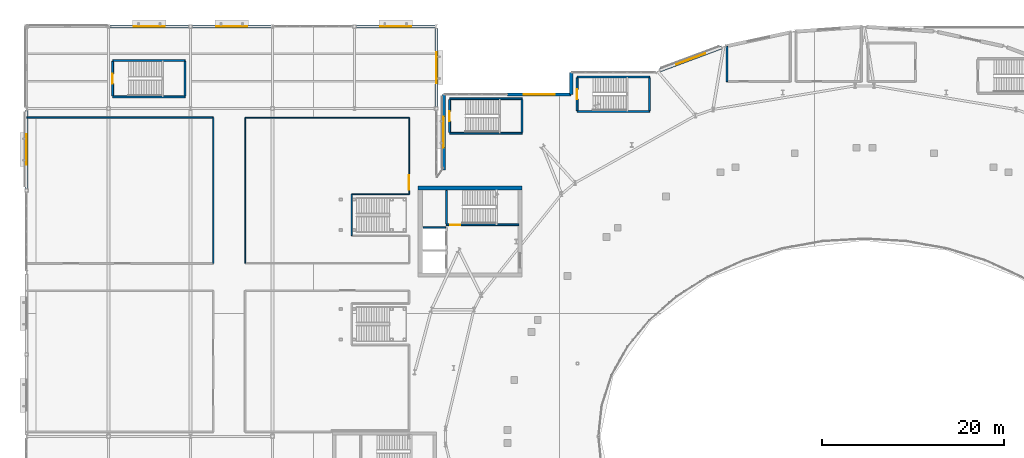
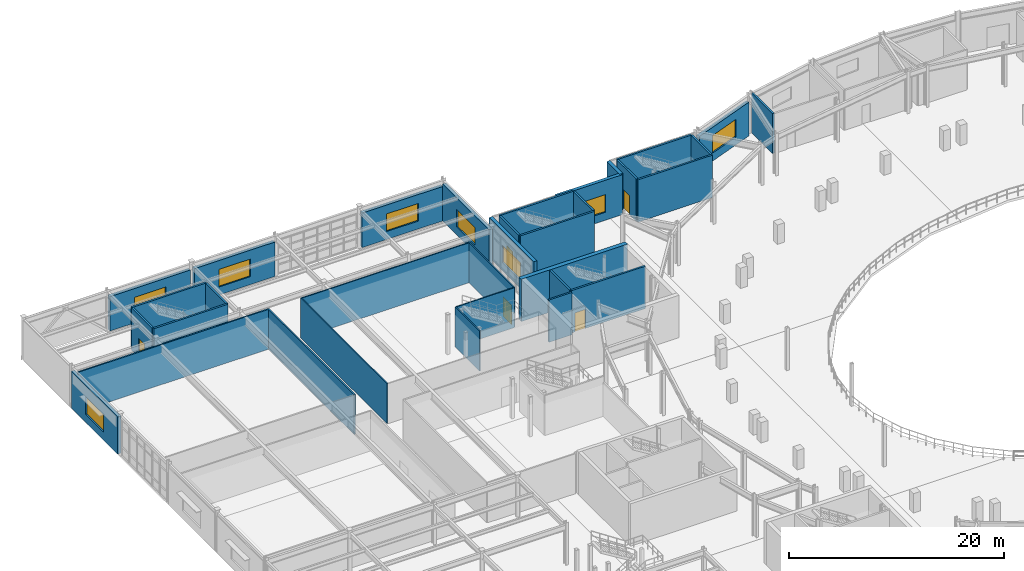
# One storey, part 61 of 84: 33 walls, 8 windows, 5 doors, 13 openings.
"""IFC4 building model written with IfcOpenShell, lengths in metres."""

from ifc_helpers import new_model, si_unit, direction, frame, frame_2d, origin, place, context, subcontext, project, spatial, rectangle, extrude, material, layer, layer_set, type_object, element, fill, save


model = new_model("IFC4")

# Units and contexts
model_context = context("Model", 3, precision=1e-05, world=origin(), true_north=direction((0.0, 1.0)))
body_context = subcontext(model_context, "Body", "Model", "MODEL_VIEW")
ifc_project = project(units=[si_unit("LENGTHUNIT", "METRE"), si_unit("AREAUNIT", "SQUARE_METRE"), si_unit("VOLUMEUNIT", "CUBIC_METRE"), si_unit("PLANEANGLEUNIT", "RADIAN"), si_unit("MASSUNIT", "GRAM", prefix="KILO")], contexts=[model_context])

# Site, building, storey
site_placement = place(None, origin())
site = spatial("IfcSite", under=ifc_project, at=site_placement, CompositionType="ELEMENT")
building_placement = place(site_placement, origin())
building = spatial("IfcBuilding", under=site, at=building_placement, Name="Glasvene Arena", CompositionType="ELEMENT")
storey_placement = place(building_placement, frame((0.0, 0.0, 10.199951171875)))
storey = spatial("IfcBuildingStorey", under=building, at=storey_placement, Name="L02", CompositionType="ELEMENT", Elevation=10.199951171875)

# Wall
ifc_material_1 = material(Name="Concrete C40/50", Category="concrete")
ifc_layer_1 = layer(ifc_material_1, 0.449951171875)
ifc_layer_set_1 = layer_set([ifc_layer_1], Name="Concrete C40/50")
wall_type_1 = type_object("IfcWallType", Name="WL-CORE-450", PredefinedType="SHEAR", material=ifc_layer_set_1)
wall_1_placement = place(storey_placement, frame((43.0, 100.27490234375, 0.0), z_axis=(0.0, 0.0, 1.0), x_axis=(1.0, 0.0, 0.0)))
element("IfcWall", 1, at=wall_1_placement, inside=storey, type_object=wall_type_1, Name="Core C1 North-West shear wall N L02", PredefinedType="SHEAR", context=body_context, shape_type="SweptSolid", body=[
    extrude(rectangle(XDim=11.39990234375, YDim=0.449951171875, at=frame_2d((5.699951171875, 0.0))), origin(), (0.0, 0.0, 1.0), 4.800048828125),
])

# Wall, opening, window
ifc_material_2 = material(Name="Coursed pale Irish limestone", Category="masonry")
ifc_layer_2 = layer(ifc_material_2, 0.360107421875)
ifc_layer_set_2 = layer_set([ifc_layer_2], Name="Coursed pale Irish limestone")
wall_type_2 = type_object("IfcWallType", Name="WL-EXT-LIM-360", PredefinedType="STANDARD", material=ifc_layer_set_2)
wall_2_placement = place(storey_placement, frame((0.0, 100.205078125, 0.0), z_axis=(0.0, 0.0, 1.0), x_axis=(0.0, 1.0, 0.0)))
wall_2 = element("IfcWall", 2, at=wall_2_placement, inside=storey, type_object=wall_type_2, Name="External facade wall EW-L02-0123", PredefinedType="STANDARD", context=body_context, shape_type="SweptSolid", body=[
    extrude(rectangle(XDim=8.593017578125, YDim=0.360107421875, at=frame_2d((4.29638671875, 0.0))), origin(), (0.0, 0.0, 1.0), 4.215087890625),
])
opening_1_placement = place(wall_2_placement, frame((2.595947265625, 0.0, 0.89990234375)))
opening_1 = element("IfcOpeningElement", 3, at=opening_1_placement, cuts=wall_2, Name="Opening W-06", PredefinedType="OPENING", context=body_context, shape_type="SweptSolid", body=[
    extrude(rectangle(XDim=3.39990234375, YDim=2.0, at=frame_2d((1.699951171875, 1.0))), frame((0.0, 0.18994140625, 0.0), z_axis=(0.0, -1.0, 0.0), x_axis=(1.0, 0.0, 0.0)), (0.0, 0.0, 1.0), 0.380126953125),
])
ifc_material_3 = material(Name="Low-emissivity laminated double glazing", Category="glass")
window_type = type_object("IfcWindowType", Name="WN-CLUB-340x200", PartitioningType="TRIPLE_PANEL_VERTICAL", PredefinedType="WINDOW", material=ifc_material_3)
window_1_placement = place(opening_1_placement, origin())
window_1 = element("IfcWindow", 4, at=window_1_placement, inside=storey, type_object=window_type, Name="Facade window WN-CLUB-340x200 L02-0069", OverallHeight=2.0, OverallWidth=3.39990234375, PartitioningType="SINGLE_PANEL", PredefinedType="WINDOW", context=body_context, shape_type="SweptSolid", body=[
    extrude(rectangle(XDim=3.39990234375, YDim=2.0, at=frame_2d((1.699951171875, 1.0))), frame((0.0, 0.030029296875, 0.0), z_axis=(0.0, -1.0, 0.0), x_axis=(1.0, 0.0, 0.0)), (0.0, 0.0, 1.0), 0.06005859375),
])
fill(opening_1, window_1)

wall_3_placement = place(storey_placement, frame((9.152099609375, 118.0, 0.0), z_axis=(0.0, 0.0, 1.0), x_axis=(1.0, 0.0, 0.0)))
wall_3 = element("IfcWall", 5, at=wall_3_placement, inside=storey, type_object=wall_type_2, Name="External facade wall EW-L02-0124", PredefinedType="STANDARD", context=body_context, shape_type="SweptSolid", body=[
    extrude(rectangle(XDim=8.642822265625, YDim=0.360107421875, at=frame_2d((4.3212890625, 0.0))), origin(), (0.0, 0.0, 1.0), 3.907470703125),
])
opening_2_placement = place(wall_3_placement, frame((2.62109375, 0.0, 0.89990234375)))
opening_2 = element("IfcOpeningElement", 6, at=opening_2_placement, cuts=wall_3, Name="Opening W-06", PredefinedType="OPENING", context=body_context, shape_type="SweptSolid", body=[
    extrude(rectangle(XDim=3.39990234375, YDim=2.0, at=frame_2d((1.699951171875, 1.0))), frame((0.0, 0.18994140625, 0.0), z_axis=(0.0, -1.0, 0.0), x_axis=(1.0, 0.0, 0.0)), (0.0, 0.0, 1.0), 0.380126953125),
])
window_2_placement = place(opening_2_placement, origin())
window_2 = element("IfcWindow", 7, at=window_2_placement, inside=storey, type_object=window_type, Name="Facade window WN-CLUB-340x200 L02-0070", OverallHeight=2.0, OverallWidth=3.39990234375, PartitioningType="SINGLE_PANEL", PredefinedType="WINDOW", context=body_context, shape_type="SweptSolid", body=[
    extrude(rectangle(XDim=3.39990234375, YDim=2.0, at=frame_2d((1.699951171875, 1.0))), frame((0.0, 0.030029296875, 0.0), z_axis=(0.0, -1.0, 0.0), x_axis=(1.0, 0.0, 0.0)), (0.0, 0.0, 1.0), 0.06005859375),
])
fill(opening_2, window_2)

wall_4_placement = place(storey_placement, frame((18.205078125, 118.0, 0.0), z_axis=(0.0, 0.0, 1.0), x_axis=(1.0, 0.0, 0.0)))
wall_4 = element("IfcWall", 8, at=wall_4_placement, inside=storey, type_object=wall_type_2, Name="External facade wall EW-L02-0125", PredefinedType="STANDARD", context=body_context, shape_type="SweptSolid", body=[
    extrude(rectangle(XDim=8.642822265625, YDim=0.360107421875, at=frame_2d((4.3212890625, 0.0))), origin(), (0.0, 0.0, 1.0), 3.907470703125),
])
opening_3_placement = place(wall_4_placement, frame((2.62109375, 0.0, 0.89990234375)))
opening_3 = element("IfcOpeningElement", 9, at=opening_3_placement, cuts=wall_4, Name="Opening W-06", PredefinedType="OPENING", context=body_context, shape_type="SweptSolid", body=[
    extrude(rectangle(XDim=3.39990234375, YDim=2.0, at=frame_2d((1.699951171875, 1.0))), frame((0.0, 0.18994140625, 0.0), z_axis=(0.0, -1.0, 0.0), x_axis=(1.0, 0.0, 0.0)), (0.0, 0.0, 1.0), 0.380126953125),
])
window_3_placement = place(opening_3_placement, origin())
window_3 = element("IfcWindow", 10, at=window_3_placement, inside=storey, type_object=window_type, Name="Facade window WN-CLUB-340x200 L02-0071", OverallHeight=2.0, OverallWidth=3.39990234375, PartitioningType="SINGLE_PANEL", PredefinedType="WINDOW", context=body_context, shape_type="SweptSolid", body=[
    extrude(rectangle(XDim=3.39990234375, YDim=2.0, at=frame_2d((1.699951171875, 1.0))), frame((0.0, 0.030029296875, 0.0), z_axis=(0.0, -1.0, 0.0), x_axis=(1.0, 0.0, 0.0)), (0.0, 0.0, 1.0), 0.06005859375),
])
fill(opening_3, window_3)

wall_5_placement = place(storey_placement, frame((36.205078125, 118.0, 0.0), z_axis=(0.0, 0.0, 1.0), x_axis=(1.0, 0.0, 0.0)))
wall_5 = element("IfcWall", 11, at=wall_5_placement, inside=storey, type_object=wall_type_2, Name="External facade wall EW-L02-0126", PredefinedType="STANDARD", context=body_context, shape_type="SweptSolid", body=[
    extrude(rectangle(XDim=8.642822265625, YDim=0.360107421875, at=frame_2d((4.3212890625, 0.0))), origin(), (0.0, 0.0, 1.0), 3.907470703125),
])
opening_4_placement = place(wall_5_placement, frame((2.62109375, 0.0, 0.89990234375)))
opening_4 = element("IfcOpeningElement", 12, at=opening_4_placement, cuts=wall_5, Name="Opening W-06", PredefinedType="OPENING", context=body_context, shape_type="SweptSolid", body=[
    extrude(rectangle(XDim=3.39990234375, YDim=2.0, at=frame_2d((1.699951171875, 1.0))), frame((0.0, 0.18994140625, 0.0), z_axis=(0.0, -1.0, 0.0), x_axis=(1.0, 0.0, 0.0)), (0.0, 0.0, 1.0), 0.380126953125),
])
window_4_placement = place(opening_4_placement, origin())
window_4 = element("IfcWindow", 13, at=window_4_placement, inside=storey, type_object=window_type, Name="Facade window WN-CLUB-340x200 L02-0072", OverallHeight=2.0, OverallWidth=3.39990234375, PartitioningType="SINGLE_PANEL", PredefinedType="WINDOW", context=body_context, shape_type="SweptSolid", body=[
    extrude(rectangle(XDim=3.39990234375, YDim=2.0, at=frame_2d((1.699951171875, 1.0))), frame((0.0, 0.030029296875, 0.0), z_axis=(0.0, -1.0, 0.0), x_axis=(1.0, 0.0, 0.0)), (0.0, 0.0, 1.0), 0.06005859375),
])
fill(opening_4, window_4)

wall_6_placement = place(storey_placement, frame((45.0, 117.798095703125, 0.0), z_axis=(0.0, 0.0, 1.0), x_axis=(0.0, -1.0, 0.0)))
wall_6 = element("IfcWall", 14, at=wall_6_placement, inside=storey, type_object=wall_type_2, Name="External facade wall EW-L02-0127", PredefinedType="STANDARD", context=body_context, shape_type="SweptSolid", body=[
    extrude(rectangle(XDim=8.593017578125, YDim=0.360107421875, at=frame_2d((4.29638671875, 0.0))), origin(), (0.0, 0.0, 1.0), 4.215087890625),
])
opening_5_placement = place(wall_6_placement, frame((2.595947265625, 0.0, 0.89990234375)))
opening_5 = element("IfcOpeningElement", 15, at=opening_5_placement, cuts=wall_6, Name="Opening W-06", PredefinedType="OPENING", context=body_context, shape_type="SweptSolid", body=[
    extrude(rectangle(XDim=3.39990234375, YDim=2.0, at=frame_2d((1.699951171875, 1.0))), frame((0.0, 0.18994140625, 0.0), z_axis=(0.0, -1.0, 0.0), x_axis=(1.0, 0.0, 0.0)), (0.0, 0.0, 1.0), 0.380126953125),
])
window_5_placement = place(opening_5_placement, origin())
window_5 = element("IfcWindow", 16, at=window_5_placement, inside=storey, type_object=window_type, Name="Facade window WN-CLUB-340x200 L02-0073", OverallHeight=2.0, OverallWidth=3.39990234375, PartitioningType="SINGLE_PANEL", PredefinedType="WINDOW", context=body_context, shape_type="SweptSolid", body=[
    extrude(rectangle(XDim=3.39990234375, YDim=2.0, at=frame_2d((1.699951171875, 1.0))), frame((0.0, 0.030029296875, 0.0), z_axis=(0.0, -1.0, 0.0), x_axis=(1.0, 0.0, 0.0)), (0.0, 0.0, 1.0), 0.06005859375),
])
fill(opening_5, window_5)

wall_7_placement = place(storey_placement, frame((45.800048828125, 102.26904296875, 0.0), z_axis=(0.0, 0.0, 1.0), x_axis=(0.0, 1.0, 0.0)))
wall_7 = element("IfcWall", 17, at=wall_7_placement, inside=storey, type_object=wall_type_2, Name="External facade wall EW-L02-0128", PredefinedType="STANDARD", context=body_context, shape_type="SweptSolid", body=[
    extrude(rectangle(XDim=8.281005859375, YDim=0.360107421875, at=frame_2d((4.140625, 0.0))), origin(), (0.0, 0.0, 1.0), 4.52001953125),
])
opening_6_placement = place(wall_7_placement, frame((2.43994140625, 0.0, 0.89990234375)))
opening_6 = element("IfcOpeningElement", 18, at=opening_6_placement, cuts=wall_7, Name="Opening W-06", PredefinedType="OPENING", context=body_context, shape_type="SweptSolid", body=[
    extrude(rectangle(XDim=3.39990234375, YDim=2.0, at=frame_2d((1.699951171875, 1.0))), frame((0.0, 0.18994140625, 0.0), z_axis=(0.0, -1.0, 0.0), x_axis=(1.0, 0.0, 0.0)), (0.0, 0.0, 1.0), 0.380126953125),
])
window_6_placement = place(opening_6_placement, origin())
window_6 = element("IfcWindow", 19, at=window_6_placement, inside=storey, type_object=window_type, Name="Facade window WN-CLUB-340x200 L02-0074", OverallHeight=2.0, OverallWidth=3.39990234375, PartitioningType="SINGLE_PANEL", PredefinedType="WINDOW", context=body_context, shape_type="SweptSolid", body=[
    extrude(rectangle(XDim=3.39990234375, YDim=2.0, at=frame_2d((1.699951171875, 1.0))), frame((0.0, 0.030029296875, 0.0), z_axis=(0.0, -1.0, 0.0), x_axis=(1.0, 0.0, 0.0)), (0.0, 0.0, 1.0), 0.06005859375),
])
fill(opening_6, window_6)

wall_8_placement = place(storey_placement, frame((52.800048828125, 110.550048828125, 0.0), z_axis=(0.0, 0.0, 1.0), x_axis=(1.0, 0.0, 0.0)))
wall_8 = element("IfcWall", 20, at=wall_8_placement, inside=storey, type_object=wall_type_2, Name="External facade wall EW-L02-0129", PredefinedType="STANDARD", context=body_context, shape_type="SweptSolid", body=[
    extrude(rectangle(XDim=7.0, YDim=0.360107421875, at=frame_2d((3.5, 0.0))), origin(), (0.0, 0.0, 1.0), 4.52001953125),
])
opening_7_placement = place(wall_8_placement, frame((1.800048828125, 0.0, 0.89990234375)))
opening_7 = element("IfcOpeningElement", 21, at=opening_7_placement, cuts=wall_8, Name="Opening W-06", PredefinedType="OPENING", context=body_context, shape_type="SweptSolid", body=[
    extrude(rectangle(XDim=3.39990234375, YDim=2.0, at=frame_2d((1.699951171875, 1.0))), frame((0.0, 0.18994140625, 0.0), z_axis=(0.0, -1.0, 0.0), x_axis=(1.0, 0.0, 0.0)), (0.0, 0.0, 1.0), 0.380126953125),
])
window_7_placement = place(opening_7_placement, origin())
window_7 = element("IfcWindow", 22, at=window_7_placement, inside=storey, type_object=window_type, Name="Facade window WN-CLUB-340x200 L02-0075", OverallHeight=2.0, OverallWidth=3.39990234375, PartitioningType="SINGLE_PANEL", PredefinedType="WINDOW", context=body_context, shape_type="SweptSolid", body=[
    extrude(rectangle(XDim=3.39990234375, YDim=2.0, at=frame_2d((1.699951171875, 1.0))), frame((0.0, 0.030029296875, 0.0), z_axis=(0.0, -1.0, 0.0), x_axis=(1.0, 0.0, 0.0)), (0.0, 0.0, 1.0), 0.06005859375),
])
fill(opening_7, window_7)

# Wall
wall_9_placement = place(storey_placement, frame((59.800048828125, 110.550048828125, 0.0), z_axis=(0.0, 0.0, 1.0), x_axis=(0.0, 1.0, 0.0)))
element("IfcWall", 23, at=wall_9_placement, inside=storey, type_object=wall_type_2, Name="External facade wall EW-L02-0130", PredefinedType="STANDARD", context=body_context, shape_type="SweptSolid", body=[
    extrude(rectangle(XDim=2.39990234375, YDim=0.360107421875, at=frame_2d((1.199951171875, 0.0))), origin(), (0.0, 0.0, 1.0), 4.52001953125),
])

# Wall, opening, window
wall_10_placement = place(storey_placement, frame((69.551025390625, 113.188720703125, 0.0), z_axis=(0.0, 0.0, 1.0), x_axis=(0.937008405259, 0.349306811378, 0.0)))
wall_10 = element("IfcWall", 24, at=wall_10_placement, inside=storey, type_object=wall_type_2, Name="External facade wall EW-L02-0131", PredefinedType="STANDARD", context=body_context, shape_type="SweptSolid", body=[
    extrude(rectangle(XDim=7.20458984375, YDim=0.360107421875, at=frame_2d((3.602294921875, 0.0))), origin(), (0.0, 0.0, 1.0), 3.83154296875),
])
opening_8_placement = place(wall_10_placement, frame((1.902099609375, 0.0, 0.89990234375)))
opening_8 = element("IfcOpeningElement", 25, at=opening_8_placement, cuts=wall_10, Name="Opening W-06", PredefinedType="OPENING", context=body_context, shape_type="SweptSolid", body=[
    extrude(rectangle(XDim=3.39990234375, YDim=2.0, at=frame_2d((1.699951171875, 1.0))), frame((0.0, 0.18994140625, 0.0), z_axis=(0.0, -1.0, 0.0), x_axis=(1.0, 0.0, 0.0)), (0.0, 0.0, 1.0), 0.380126953125),
])
window_8_placement = place(opening_8_placement, origin())
window_8 = element("IfcWindow", 26, at=window_8_placement, inside=storey, type_object=window_type, Name="Facade window WN-CLUB-340x200 L02-0076", OverallHeight=2.0, OverallWidth=3.39990234375, PartitioningType="SINGLE_PANEL", PredefinedType="WINDOW", context=body_context, shape_type="SweptSolid", body=[
    extrude(rectangle(XDim=3.39990234375, YDim=2.0, at=frame_2d((1.699951171875, 1.0))), frame((0.0, 0.030029296875, 0.0), z_axis=(0.0, -1.0, 0.0), x_axis=(1.0, 0.0, 0.0)), (0.0, 0.0, 1.0), 0.06005859375),
])
fill(opening_8, window_8)

# Walls
ifc_material_4 = material(Name="Lightweight gypsum metal-stud partition")
ifc_layer_3 = layer(ifc_material_4, 0.1201171875)
ifc_layer_set_3 = layer_set([ifc_layer_3], Name="Lightweight gypsum metal-stud partition")
wall_type_3 = type_object("IfcWallType", Name="WL-PART-120", PredefinedType="PARTITIONING", material=ifc_layer_set_3)
wall_11_placement = place(storey_placement, frame((24.0, 92.0, 0.0), z_axis=(0.0, 0.0, 1.0), x_axis=(0.0, 1.0, 0.0)))
element("IfcWall", 27, at=wall_11_placement, inside=storey, type_object=wall_type_3, Name="Interior partition wall IW-L02-0245 (Arena Administration Office)", PredefinedType="PARTITIONING", context=body_context, shape_type="SweptSolid", body=[
    extrude(rectangle(XDim=16.0, YDim=0.1201171875, at=frame_2d((8.0, 0.0))), origin(), (0.0, 0.0, 1.0), 4.52001953125),
])
wall_12_placement = place(storey_placement, frame((24.0, 108.0, 0.0), z_axis=(0.0, 0.0, 1.0), x_axis=(1.0, 0.0, 0.0)))
element("IfcWall", 28, at=wall_12_placement, inside=storey, type_object=wall_type_3, Name="Interior partition wall IW-L02-0246 (Arena Administration Office)", PredefinedType="PARTITIONING", context=body_context, shape_type="SweptSolid", body=[
    extrude(rectangle(XDim=18.0, YDim=0.1201171875, at=frame_2d((9.0, 0.0))), origin(), (0.0, 0.0, 1.0), 4.52001953125),
])

# Wall, opening, door
wall_13_placement = place(storey_placement, frame((42.0, 108.0, 0.0), z_axis=(0.0, 0.0, 1.0), x_axis=(0.0, -1.0, 0.0)))
wall_13 = element("IfcWall", 29, at=wall_13_placement, inside=storey, type_object=wall_type_3, Name="Interior partition wall IW-L02-0247 (Arena Administration Office)", PredefinedType="PARTITIONING", context=body_context, shape_type="SweptSolid", body=[
    extrude(rectangle(XDim=8.39990234375, YDim=0.1201171875, at=frame_2d((4.199951171875, 0.0))), origin(), (0.0, 0.0, 1.0), 4.52001953125),
])
opening_9_placement = place(wall_13_placement, frame((6.319091796875, 0.0, 0.0)))
opening_9 = element("IfcOpeningElement", 30, at=opening_9_placement, cuts=wall_13, Name="Opening D-02", PredefinedType="OPENING", context=body_context, shape_type="SweptSolid", body=[
    extrude(rectangle(XDim=1.60009765625, YDim=2.199951171875, at=frame_2d((0.800048828125, 1.10009765625))), frame((0.0, 0.070068359375, 0.0), z_axis=(0.0, -1.0, 0.0), x_axis=(1.0, 0.0, 0.0)), (0.0, 0.0, 1.0), 0.14013671875),
])
ifc_material_5 = material(Name="Painted fire-resisting steel", Category="steel")
door_type_1 = type_object("IfcDoorType", Name="DR-FD60-1600", OperationType="DOUBLE_DOOR_SINGLE_SWING", PredefinedType="DOOR", material=ifc_material_5)
door_1_placement = place(opening_9_placement, origin())
door_1 = element("IfcDoor", 31, at=door_1_placement, inside=storey, type_object=door_type_1, Name="Interior door DR-FD60-1600 (Arena Administration Office)", OperationType="DOUBLE_DOOR_SINGLE_SWING", OverallHeight=2.199951171875, OverallWidth=1.60009765625, PredefinedType="DOOR", context=body_context, shape_type="SweptSolid", body=[
    extrude(rectangle(XDim=1.60009765625, YDim=2.199951171875, at=frame_2d((0.800048828125, 1.10009765625))), frame((0.0, 0.02490234375, 0.0), z_axis=(0.0, -1.0, 0.0), x_axis=(1.0, 0.0, 0.0)), (0.0, 0.0, 1.0), 0.050048828125),
])
fill(opening_9, door_1)

# Walls
wall_14_placement = place(storey_placement, frame((42.0, 99.60009765625, 0.0), z_axis=(0.0, 0.0, 1.0), x_axis=(-1.0, 0.0, 0.0)))
element("IfcWall", 32, at=wall_14_placement, inside=storey, type_object=wall_type_3, Name="Interior partition wall IW-L02-0248 (Arena Administration Office)", PredefinedType="PARTITIONING", context=body_context, shape_type="SweptSolid", body=[
    extrude(rectangle(XDim=6.300048828125, YDim=0.1201171875, at=frame_2d((3.14990234375, 0.0))), origin(), (0.0, 0.0, 1.0), 4.52001953125),
])
wall_15_placement = place(storey_placement, frame((35.699951171875, 99.60009765625, 0.0), z_axis=(0.0, 0.0, 1.0), x_axis=(0.0, -1.0, 0.0)))
element("IfcWall", 33, at=wall_15_placement, inside=storey, type_object=wall_type_3, Name="Interior partition wall IW-L02-0249 (Arena Administration Office)", PredefinedType="PARTITIONING", context=body_context, shape_type="SweptSolid", body=[
    extrude(rectangle(XDim=4.550048828125, YDim=0.1201171875, at=frame_2d((2.27490234375, 0.0))), origin(), (0.0, 0.0, 1.0), 4.52001953125),
])
ifc_material_6 = material(Name="Insulated acoustic metal-stud partition")
ifc_layer_4 = layer(ifc_material_6, 0.14990234375)
ifc_layer_set_4 = layer_set([ifc_layer_4], Name="Insulated acoustic metal-stud partition")
wall_type_4 = type_object("IfcWallType", Name="WL-PART-150", PredefinedType="PARTITIONING", material=ifc_layer_set_4)
wall_16_placement = place(storey_placement, frame((0.0400390625, 108.0, 0.0), z_axis=(0.0, 0.0, 1.0), x_axis=(1.0, 0.0, 0.0)))
element("IfcWall", 34, at=wall_16_placement, inside=storey, type_object=wall_type_4, Name="Interior partition wall IW-L02-0239 (Community Digital Media Lab)", PredefinedType="PARTITIONING", context=body_context, shape_type="SweptSolid", body=[
    extrude(rectangle(XDim=20.4599609375, YDim=0.14990234375, at=frame_2d((10.22998046875, 0.0))), origin(), (0.0, 0.0, 1.0), 4.52001953125),
])
wall_17_placement = place(storey_placement, frame((20.5, 108.0, 0.0), z_axis=(0.0, 0.0, 1.0), x_axis=(0.0, -1.0, 0.0)))
element("IfcWall", 35, at=wall_17_placement, inside=storey, type_object=wall_type_4, Name="Interior partition wall IW-L02-0240 (Community Digital Media Lab)", PredefinedType="PARTITIONING", context=body_context, shape_type="SweptSolid", body=[
    extrude(rectangle(XDim=16.0, YDim=0.14990234375, at=frame_2d((8.0, 0.0))), origin(), (0.0, 0.0, 1.0), 4.52001953125),
])

# Wall, opening, door
ifc_layer_5 = layer(ifc_material_1, 0.199951171875)
ifc_layer_set_5 = layer_set([ifc_layer_5], Name="Concrete C40/50")
wall_type_5 = type_object("IfcWallType", Name="WL-SHAFT-200", PredefinedType="SHEAR", material=ifc_layer_set_5)
wall_18_placement = place(storey_placement, frame((46.10009765625, 96.22998046875, 0.0), z_axis=(0.0, 0.0, 1.0), x_axis=(1.0, 0.0, 0.0)))
wall_18 = element("IfcWall", 36, at=wall_18_placement, inside=storey, type_object=wall_type_5, Name="Escape stair shaft wall ST-01 L02 S", PredefinedType="SHEAR", context=body_context, shape_type="SweptSolid", body=[
    extrude(rectangle(XDim=7.949951171875, YDim=0.199951171875, at=frame_2d((3.97509765625, 0.0))), origin(), (0.0, 0.0, 1.0), 4.800048828125),
])
opening_10_placement = place(wall_18_placement, frame((0.39990234375, 0.0, 0.0)))
opening_10 = element("IfcOpeningElement", 37, at=opening_10_placement, cuts=wall_18, Name="Opening D-04", PredefinedType="OPENING", context=body_context, shape_type="SweptSolid", body=[
    extrude(rectangle(XDim=1.10009765625, YDim=2.14990234375, at=frame_2d((0.550048828125, 1.074951171875))), frame((0.0, 0.10986328125, 0.0), z_axis=(0.0, -1.0, 0.0), x_axis=(1.0, 0.0, 0.0)), (0.0, 0.0, 1.0), 0.219970703125),
])
door_type_2 = type_object("IfcDoorType", Name="DR-FD60-1100", OperationType="NOTDEFINED", PredefinedType="DOOR", material=ifc_material_5)
door_2_placement = place(opening_10_placement, frame((1.10009765625, 0.0, 0.0), z_axis=(0.0, 0.0, 1.0), x_axis=(-1.0, 0.0, 0.0)))
door_2 = element("IfcDoor", 38, at=door_2_placement, inside=storey, type_object=door_type_2, Name="Protected escape stair door ST-01 L02", OperationType="SINGLE_SWING_LEFT", OverallHeight=2.14990234375, OverallWidth=1.10009765625, PredefinedType="DOOR", context=body_context, shape_type="SweptSolid", body=[
    extrude(rectangle(XDim=1.10009765625, YDim=2.14990234375, at=frame_2d((0.550048828125, 1.074951171875))), frame((0.0, 0.02490234375, 0.0), z_axis=(0.0, -1.0, 0.0), x_axis=(1.0, 0.0, 0.0)), (0.0, 0.0, 1.0), 0.050048828125),
])
fill(opening_10, door_2)

# Walls
wall_19_placement = place(storey_placement, frame((46.10009765625, 96.33203125, 0.0), z_axis=(0.0, 0.0, 1.0), x_axis=(0.0, 1.0, 0.0)))
element("IfcWall", 39, at=wall_19_placement, inside=storey, type_object=wall_type_5, Name="Escape stair shaft wall ST-01 L02 W", PredefinedType="SHEAR", context=body_context, shape_type="SweptSolid", body=[
    extrude(rectangle(XDim=3.68603515625, YDim=0.199951171875, at=frame_2d((1.843017578125, 0.0))), origin(), (0.0, 0.0, 1.0), 4.800048828125),
])
wall_20_placement = place(storey_placement, frame((60.449951171875, 108.679931640625, 0.0), z_axis=(0.0, 0.0, 1.0), x_axis=(1.0, 0.0, 0.0)))
element("IfcWall", 40, at=wall_20_placement, inside=storey, type_object=wall_type_5, Name="Escape stair shaft wall ST-10 L02 S", PredefinedType="SHEAR", context=body_context, shape_type="SweptSolid", body=[
    extrude(rectangle(XDim=7.949951171875, YDim=0.199951171875, at=frame_2d((3.97509765625, 0.0))), origin(), (0.0, 0.0, 1.0), 4.800048828125),
])

# Wall, opening, door
wall_21_placement = place(storey_placement, frame((60.449951171875, 108.781982421875, 0.0), z_axis=(0.0, 0.0, 1.0), x_axis=(0.0, 1.0, 0.0)))
wall_21 = element("IfcWall", 41, at=wall_21_placement, inside=storey, type_object=wall_type_5, Name="Escape stair shaft wall ST-10 L02 W", PredefinedType="SHEAR", context=body_context, shape_type="SweptSolid", body=[
    extrude(rectangle(XDim=3.5859375, YDim=0.199951171875, at=frame_2d((1.79296875, 0.0))), origin(), (0.0, 0.0, 1.0), 4.800048828125),
])
opening_11_placement = place(wall_21_placement, frame((1.242919921875, 0.0, 0.0)))
opening_11 = element("IfcOpeningElement", 42, at=opening_11_placement, cuts=wall_21, Name="Opening D-04", PredefinedType="OPENING", context=body_context, shape_type="SweptSolid", body=[
    extrude(rectangle(XDim=1.10009765625, YDim=2.14990234375, at=frame_2d((0.550048828125, 1.074951171875))), frame((0.0, 0.10986328125, 0.0), z_axis=(0.0, -1.0, 0.0), x_axis=(1.0, 0.0, 0.0)), (0.0, 0.0, 1.0), 0.219970703125),
])
door_3_placement = place(opening_11_placement, frame((1.10009765625, 0.0, 0.0), z_axis=(0.0, 0.0, 1.0), x_axis=(-1.0, 0.0, 0.0)))
door_3 = element("IfcDoor", 43, at=door_3_placement, inside=storey, type_object=door_type_2, Name="Protected escape stair door ST-10 L02", OperationType="SINGLE_SWING_LEFT", OverallHeight=2.14990234375, OverallWidth=1.10009765625, PredefinedType="DOOR", context=body_context, shape_type="SweptSolid", body=[
    extrude(rectangle(XDim=1.10009765625, YDim=2.14990234375, at=frame_2d((0.550048828125, 1.074951171875))), frame((0.0, 0.02490234375, 0.0), z_axis=(0.0, -1.0, 0.0), x_axis=(1.0, 0.0, 0.0)), (0.0, 0.0, 1.0), 0.050048828125),
])
fill(opening_11, door_3)

# Walls
wall_22_placement = place(storey_placement, frame((68.39990234375, 108.781982421875, 0.0), z_axis=(0.0, 0.0, 1.0), x_axis=(0.0, 1.0, 0.0)))
element("IfcWall", 44, at=wall_22_placement, inside=storey, type_object=wall_type_5, Name="Escape stair shaft wall ST-10 L02 E", PredefinedType="SHEAR", context=body_context, shape_type="SweptSolid", body=[
    extrude(rectangle(XDim=3.5859375, YDim=0.199951171875, at=frame_2d((1.79296875, 0.0))), origin(), (0.0, 0.0, 1.0), 4.800048828125),
])
for number, where, z_axis, x_axis, name in (
    (45, (60.449951171875, 112.469970703125, 0.0), (0.0, 0.0, 1.0), (1.0, 0.0, 0.0), "Escape stair shaft wall ST-10 L02 N"),
    (46, (46.449951171875, 106.280029296875, 0.0), (0.0, 0.0, 1.0), (1.0, 0.0, 0.0), "Escape stair shaft wall ST-12 L02 S"),
):
    element("IfcWall", number, at=place(storey_placement, frame(where, z_axis=z_axis, x_axis=x_axis)), inside=storey, type_object=wall_type_5, Name=name, PredefinedType="SHEAR", context=body_context, shape_type="SweptSolid", body=[
        extrude(rectangle(XDim=7.949951171875, YDim=0.199951171875, at=frame_2d((3.97509765625, 0.0))), origin(), (0.0, 0.0, 1.0), 4.800048828125),
    ])

# Wall, opening, door
wall_23_placement = place(storey_placement, frame((46.449951171875, 106.382080078125, 0.0), z_axis=(0.0, 0.0, 1.0), x_axis=(0.0, 1.0, 0.0)))
wall_23 = element("IfcWall", 47, at=wall_23_placement, inside=storey, type_object=wall_type_5, Name="Escape stair shaft wall ST-12 L02 W", PredefinedType="SHEAR", context=body_context, shape_type="SweptSolid", body=[
    extrude(rectangle(XDim=3.5859375, YDim=0.199951171875, at=frame_2d((1.79296875, 0.0))), origin(), (0.0, 0.0, 1.0), 4.800048828125),
])
opening_12_placement = place(wall_23_placement, frame((1.242919921875, 0.0, 0.0)))
opening_12 = element("IfcOpeningElement", 48, at=opening_12_placement, cuts=wall_23, Name="Opening D-04", PredefinedType="OPENING", context=body_context, shape_type="SweptSolid", body=[
    extrude(rectangle(XDim=1.10009765625, YDim=2.14990234375, at=frame_2d((0.550048828125, 1.074951171875))), frame((0.0, 0.10986328125, 0.0), z_axis=(0.0, -1.0, 0.0), x_axis=(1.0, 0.0, 0.0)), (0.0, 0.0, 1.0), 0.219970703125),
])
door_4_placement = place(opening_12_placement, frame((1.10009765625, 0.0, 0.0), z_axis=(0.0, 0.0, 1.0), x_axis=(-1.0, 0.0, 0.0)))
door_4 = element("IfcDoor", 49, at=door_4_placement, inside=storey, type_object=door_type_2, Name="Protected escape stair door ST-12 L02", OperationType="SINGLE_SWING_LEFT", OverallHeight=2.14990234375, OverallWidth=1.10009765625, PredefinedType="DOOR", context=body_context, shape_type="SweptSolid", body=[
    extrude(rectangle(XDim=1.10009765625, YDim=2.14990234375, at=frame_2d((0.550048828125, 1.074951171875))), frame((0.0, 0.02490234375, 0.0), z_axis=(0.0, -1.0, 0.0), x_axis=(1.0, 0.0, 0.0)), (0.0, 0.0, 1.0), 0.050048828125),
])
fill(opening_12, door_4)

# Walls
wall_24_placement = place(storey_placement, frame((54.39990234375, 106.382080078125, 0.0), z_axis=(0.0, 0.0, 1.0), x_axis=(0.0, 1.0, 0.0)))
element("IfcWall", 50, at=wall_24_placement, inside=storey, type_object=wall_type_5, Name="Escape stair shaft wall ST-12 L02 E", PredefinedType="SHEAR", context=body_context, shape_type="SweptSolid", body=[
    extrude(rectangle(XDim=3.5859375, YDim=0.199951171875, at=frame_2d((1.79296875, 0.0))), origin(), (0.0, 0.0, 1.0), 4.800048828125),
])
for number, where, z_axis, x_axis, name in (
    (51, (46.449951171875, 110.070068359375, 0.0), (0.0, 0.0, 1.0), (1.0, 0.0, 0.0), "Escape stair shaft wall ST-12 L02 N"),
    (52, (9.449951171875, 110.280029296875, 0.0), (0.0, 0.0, 1.0), (1.0, 0.0, 0.0), "Escape stair shaft wall ST-14 L02 S"),
):
    element("IfcWall", number, at=place(storey_placement, frame(where, z_axis=z_axis, x_axis=x_axis)), inside=storey, type_object=wall_type_5, Name=name, PredefinedType="SHEAR", context=body_context, shape_type="SweptSolid", body=[
        extrude(rectangle(XDim=7.949951171875, YDim=0.199951171875, at=frame_2d((3.97509765625, 0.0))), origin(), (0.0, 0.0, 1.0), 4.800048828125),
    ])

# Wall, opening, door
wall_25_placement = place(storey_placement, frame((9.449951171875, 110.382080078125, 0.0), z_axis=(0.0, 0.0, 1.0), x_axis=(0.0, 1.0, 0.0)))
wall_25 = element("IfcWall", 53, at=wall_25_placement, inside=storey, type_object=wall_type_5, Name="Escape stair shaft wall ST-14 L02 W", PredefinedType="SHEAR", context=body_context, shape_type="SweptSolid", body=[
    extrude(rectangle(XDim=3.785888671875, YDim=0.199951171875, at=frame_2d((1.89306640625, 0.0))), origin(), (0.0, 0.0, 1.0), 4.800048828125),
])
opening_13_placement = place(wall_25_placement, frame((1.343017578125, 0.0, 0.0)))
opening_13 = element("IfcOpeningElement", 54, at=opening_13_placement, cuts=wall_25, Name="Opening D-04", PredefinedType="OPENING", context=body_context, shape_type="SweptSolid", body=[
    extrude(rectangle(XDim=1.10009765625, YDim=2.14990234375, at=frame_2d((0.550048828125, 1.074951171875))), frame((0.0, 0.10986328125, 0.0), z_axis=(0.0, -1.0, 0.0), x_axis=(1.0, 0.0, 0.0)), (0.0, 0.0, 1.0), 0.219970703125),
])
door_5_placement = place(opening_13_placement, frame((1.10009765625, 0.0, 0.0), z_axis=(0.0, 0.0, 1.0), x_axis=(-1.0, 0.0, 0.0)))
door_5 = element("IfcDoor", 55, at=door_5_placement, inside=storey, type_object=door_type_2, Name="Protected escape stair door ST-14 L02", OperationType="SINGLE_SWING_RIGHT", OverallHeight=2.14990234375, OverallWidth=1.10009765625, PredefinedType="DOOR", context=body_context, shape_type="SweptSolid", body=[
    extrude(rectangle(XDim=1.10009765625, YDim=2.14990234375, at=frame_2d((0.550048828125, 1.074951171875))), frame((0.0, 0.02490234375, 0.0), z_axis=(0.0, -1.0, 0.0), x_axis=(1.0, 0.0, 0.0)), (0.0, 0.0, 1.0), 0.050048828125),
])
fill(opening_13, door_5)

# Walls
wall_26_placement = place(storey_placement, frame((17.39990234375, 110.382080078125, 0.0), z_axis=(0.0, 0.0, 1.0), x_axis=(0.0, 1.0, 0.0)))
element("IfcWall", 56, at=wall_26_placement, inside=storey, type_object=wall_type_5, Name="Escape stair shaft wall ST-14 L02 E", PredefinedType="SHEAR", context=body_context, shape_type="SweptSolid", body=[
    extrude(rectangle(XDim=3.785888671875, YDim=0.199951171875, at=frame_2d((1.89306640625, 0.0))), origin(), (0.0, 0.0, 1.0), 4.800048828125),
])
wall_27_placement = place(storey_placement, frame((9.449951171875, 114.27001953125, 0.0), z_axis=(0.0, 0.0, 1.0), x_axis=(1.0, 0.0, 0.0)))
element("IfcWall", 57, at=wall_27_placement, inside=storey, type_object=wall_type_5, Name="Escape stair shaft wall ST-14 L02 N", PredefinedType="SHEAR", context=body_context, shape_type="SweptSolid", body=[
    extrude(rectangle(XDim=7.949951171875, YDim=0.199951171875, at=frame_2d((3.97509765625, 0.0))), origin(), (0.0, 0.0, 1.0), 4.800048828125),
])
ifc_material_7 = material(Name="Moisture-resistant masonry blockwork", Category="masonry")
ifc_layer_6 = layer(ifc_material_7, 0.179931640625)
ifc_layer_set_6 = layer_set([ifc_layer_6], Name="Moisture-resistant masonry blockwork")
wall_type_6 = type_object("IfcWallType", Name="WL-WET-180", PredefinedType="PARTITIONING", material=ifc_layer_set_6)
wall_28_placement = place(storey_placement, frame((43.550048828125, 95.949951171875, 0.0), z_axis=(0.0, 0.0, 1.0), x_axis=(1.0, 0.0, 0.0)))
element("IfcWall", 58, at=wall_28_placement, inside=storey, type_object=wall_type_6, Name="Lift shaft north enclosure wall C1 L02", PredefinedType="PARTITIONING", context=body_context, shape_type="SweptSolid", body=[
    extrude(rectangle(XDim=2.449951171875, YDim=0.179931640625, at=frame_2d((1.22509765625, 0.0))), origin(), (0.0, 0.0, 1.0), 4.800048828125),
])
wall_29_placement = place(storey_placement, frame((76.89990234375, 111.949951171875, 0.0), z_axis=(0.0, 0.0, 1.0), x_axis=(0.0, 1.0, 0.0)))
element("IfcWall", 59, at=wall_29_placement, inside=storey, type_object=wall_type_6, Name="Interior partition wall IW-L02-0219 (L02 Public Male WC)", PredefinedType="PARTITIONING", context=body_context, shape_type="SweptSolid", body=[
    extrude(rectangle(XDim=3.88330078125, YDim=0.179931640625, at=frame_2d((1.941650390625, 0.0))), origin(), (0.0, 0.0, 1.0), 4.52001953125),
])

save(model, "model.ifc")
